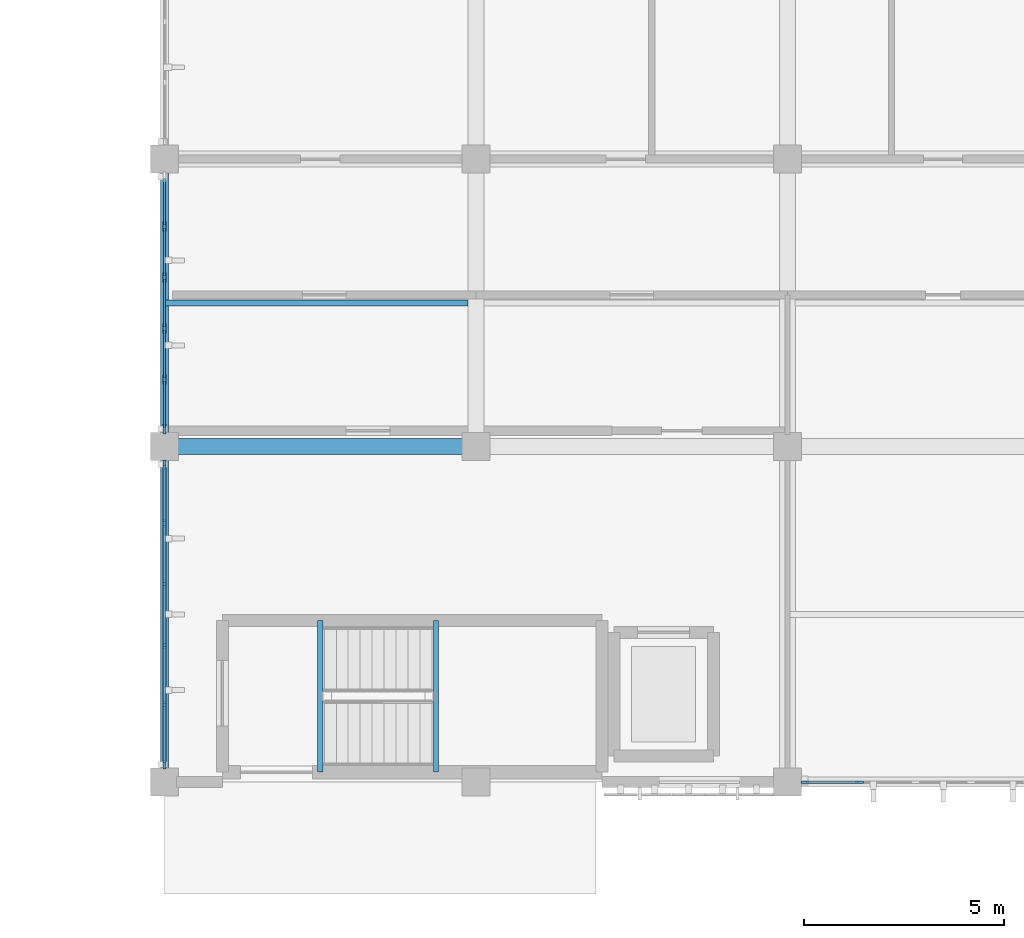
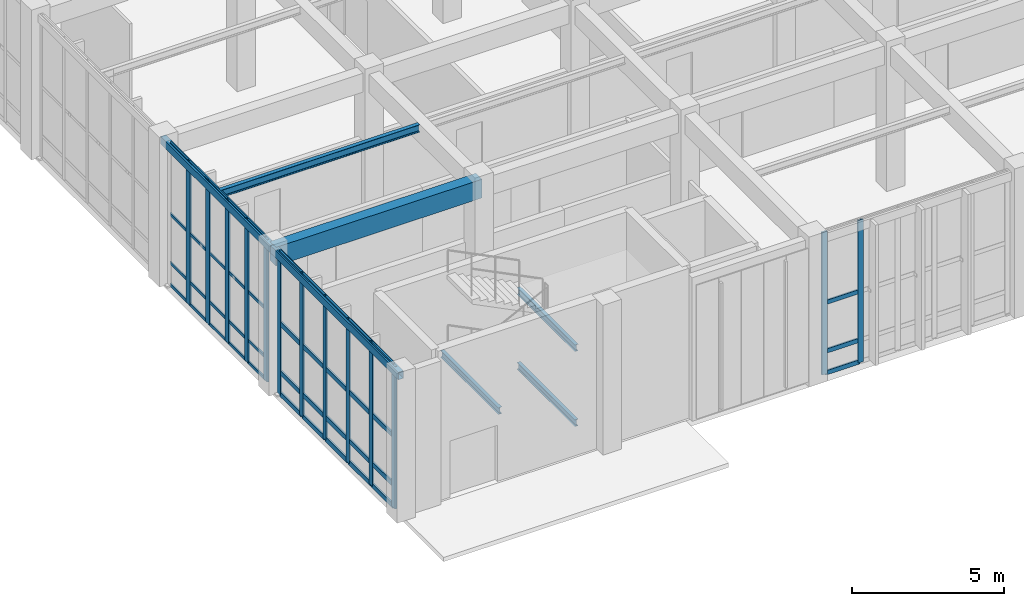
# One storey, part 14 of 110: 56 members, 7 beams, 3 elements without a shape of their own.
"""IFC4 building model written with IfcOpenShell, lengths in metres."""

from ifc_helpers import new_model, si_unit, direction, frame, origin, origin_2d, place, context, subcontext, project, spatial, rectangle, hollow_rectangle, i_section, extrude, material, material_profile, profile_set, type_object, element, aggregate, save


model = new_model("IFC4")

# Units and contexts
model_context = context("Model", 3, precision=1e-05, world=origin(), true_north=direction((0.0, 1.0)))
body_context = subcontext(model_context, "Body", "Model", "MODEL_VIEW")
ifc_project = project(units=[si_unit("LENGTHUNIT", "METRE"), si_unit("AREAUNIT", "SQUARE_METRE"), si_unit("VOLUMEUNIT", "CUBIC_METRE"), si_unit("PLANEANGLEUNIT", "RADIAN"), si_unit("MASSUNIT", "GRAM", prefix="KILO")], contexts=[model_context])

# Site, building, storey
site_placement = place(None, origin())
site = spatial("IfcSite", under=ifc_project, at=site_placement, CompositionType="ELEMENT")
building_placement = place(site_placement, origin())
building = spatial("IfcBuilding", under=site, at=building_placement, Name="Tizgana Railside Sports Hall", CompositionType="ELEMENT")
storey_placement = place(building_placement, origin())
storey = spatial("IfcBuildingStorey", under=building, at=storey_placement, Name="L00", CompositionType="ELEMENT", Elevation=0.0)

# Beam
ifc_material_1 = material(Name="Concrete C35/45", Category="concrete")
ifc_material_profile_1 = material_profile(ifc_material_1, rectangle(XDim=0.39990234375, YDim=0.75, at=origin_2d()), Name="RCB 400x750")
ifc_profile_set_1 = profile_set([ifc_material_profile_1], Name="Concrete C35/45")
beam_type_1 = type_object("IfcBeamType", Name="Concrete Beam RCB 400x750", PredefinedType="BEAM", material=ifc_profile_set_1)
beam_1_placement = place(storey_placement, frame((7.800048828125, 8.39990234375, 5.37109375), z_axis=(1.0, 0.0, 0.0), x_axis=(0.0, 1.0, 0.0)))
element("IfcBeam", 1, at=beam_1_placement, inside=storey, type_object=beam_type_1, Name="L00 BEM-0378", PredefinedType="BEAM", context=body_context, shape_type="SweptSolid", body=[
    extrude(rectangle(XDim=0.39990234375, YDim=0.75, at=origin_2d()), origin(), (0.0, 0.0, 1.0), 7.800048828125),
])

# Curtain wall, members
ifc_material_2 = material(Name="Anodised aluminium and glass", Category="aluminium")
curtain_wall_type_1 = type_object("IfcCurtainWallType", Name="Unitised Curtain Wall Climbing 1600", PredefinedType="NOTDEFINED", material=ifc_material_2)
curtain_wall_1_placement = place(storey_placement, origin())
curtain_wall_1 = element("IfcCurtainWall", 2, at=curtain_wall_1_placement, inside=storey, type_object=curtain_wall_type_1, Name="L00 Curtain Wall CW-0075", PredefinedType="NOTDEFINED")
ifc_material_3 = material(Name="Anodised aluminium", Category="aluminium")
ifc_material_profile_2 = material_profile(ifc_material_3, rectangle(XDim=0.06494140625, YDim=0.199951171875, at=origin_2d()), Name="Mullion 65x200")
ifc_profile_set_2 = profile_set([ifc_material_profile_2], Name="Anodised aluminium")
member_type_1 = type_object("IfcMemberType", Name="Mullion 65x200", PredefinedType="MULLION", material=ifc_profile_set_2)
member_1_placement = place(storey_placement, frame((25.202880859375, 0.0, 0.044921875), z_axis=(0.0, 0.0, 1.0), x_axis=(0.0, -1.0, 0.0)))
member_1 = element("IfcMember", 3, at=member_1_placement, type_object=member_type_1, Name="CW-04 mullion 5", PredefinedType="MULLION", context=body_context, shape_type="SweptSolid", body=[
    extrude(rectangle(XDim=0.06494140625, YDim=0.199951171875, at=origin_2d()), origin(), (0.0, 0.0, 1.0), 5.705078125),
])
member_2_placement = place(storey_placement, frame((23.83740234375, 0.0, 0.044921875), z_axis=(0.0, 0.0, 1.0), x_axis=(0.0, -1.0, 0.0)))
member_2 = element("IfcMember", 4, at=member_2_placement, type_object=member_type_1, Name="CW-04 mullion 6", PredefinedType="MULLION", context=body_context, shape_type="SweptSolid", body=[
    extrude(rectangle(XDim=0.06494140625, YDim=0.199951171875, at=origin_2d()), origin(), (0.0, 0.0, 1.0), 5.705078125),
])

curtain_wall_type_2 = type_object("IfcCurtainWallType", Name="Unitised Curtain Wall Studio 1400", PredefinedType="NOTDEFINED", material=ifc_material_2)
curtain_wall_2_placement = place(storey_placement, origin())
curtain_wall_2 = element("IfcCurtainWall", 5, at=curtain_wall_2_placement, inside=storey, type_object=curtain_wall_type_2, Name="L00 Curtain Wall CW-0082", PredefinedType="NOTDEFINED")
ifc_material_profile_3 = material_profile(ifc_material_3, rectangle(XDim=0.070068359375, YDim=0.219970703125, at=origin_2d()), Name="Mullion 70x220")
ifc_profile_set_3 = profile_set([ifc_material_profile_3], Name="Anodised aluminium")
member_type_2 = type_object("IfcMemberType", Name="Mullion 70x220", PredefinedType="MULLION", material=ifc_profile_set_3)
member_3_placement = place(storey_placement, frame((7.800048828125, 7.9599609375, 0.044921875), z_axis=(0.0, 0.0, 1.0), x_axis=(1.0, 0.0, 0.0)))
member_3 = element("IfcMember", 6, at=member_3_placement, type_object=member_type_2, Name="CW-03 mullion 1", PredefinedType="MULLION", context=body_context, shape_type="SweptSolid", body=[
    extrude(rectangle(XDim=0.070068359375, YDim=0.219970703125, at=origin_2d()), origin(), (0.0, 0.0, 1.0), 5.705078125),
])
member_4_placement = place(storey_placement, frame((7.800048828125, 6.47705078125, 0.044921875), z_axis=(0.0, 0.0, 1.0), x_axis=(1.0, 0.0, 0.0)))
member_4 = element("IfcMember", 7, at=member_4_placement, type_object=member_type_2, Name="CW-03 mullion 2", PredefinedType="MULLION", context=body_context, shape_type="SweptSolid", body=[
    extrude(rectangle(XDim=0.070068359375, YDim=0.219970703125, at=origin_2d()), origin(), (0.0, 0.0, 1.0), 5.705078125),
])
member_5_placement = place(storey_placement, frame((7.800048828125, 4.958984375, 0.044921875), z_axis=(0.0, 0.0, 1.0), x_axis=(1.0, 0.0, 0.0)))
member_5 = element("IfcMember", 8, at=member_5_placement, type_object=member_type_2, Name="CW-03 mullion 3", PredefinedType="MULLION", context=body_context, shape_type="SweptSolid", body=[
    extrude(rectangle(XDim=0.070068359375, YDim=0.219970703125, at=origin_2d()), origin(), (0.0, 0.0, 1.0), 5.705078125),
])
member_6_placement = place(storey_placement, frame((7.800048828125, 3.44091796875, 0.044921875), z_axis=(0.0, 0.0, 1.0), x_axis=(1.0, 0.0, 0.0)))
member_6 = element("IfcMember", 9, at=member_6_placement, type_object=member_type_2, Name="CW-03 mullion 4", PredefinedType="MULLION", context=body_context, shape_type="SweptSolid", body=[
    extrude(rectangle(XDim=0.070068359375, YDim=0.219970703125, at=origin_2d()), origin(), (0.0, 0.0, 1.0), 5.705078125),
])
member_7_placement = place(storey_placement, frame((7.800048828125, 1.923095703125, 0.044921875), z_axis=(0.0, 0.0, 1.0), x_axis=(1.0, 0.0, 0.0)))
member_7 = element("IfcMember", 10, at=member_7_placement, type_object=member_type_2, Name="CW-03 mullion 5", PredefinedType="MULLION", context=body_context, shape_type="SweptSolid", body=[
    extrude(rectangle(XDim=0.070068359375, YDim=0.219970703125, at=origin_2d()), origin(), (0.0, 0.0, 1.0), 5.705078125),
])
member_8_placement = place(storey_placement, frame((7.800048828125, 0.43994140625, 0.044921875), z_axis=(0.0, 0.0, 1.0), x_axis=(1.0, 0.0, 0.0)))
member_8 = element("IfcMember", 11, at=member_8_placement, type_object=member_type_2, Name="CW-03 mullion 6", PredefinedType="MULLION", context=body_context, shape_type="SweptSolid", body=[
    extrude(rectangle(XDim=0.070068359375, YDim=0.219970703125, at=origin_2d()), origin(), (0.0, 0.0, 1.0), 5.705078125),
])

curtain_wall_3_placement = place(storey_placement, origin())
curtain_wall_3 = element("IfcCurtainWall", 12, at=curtain_wall_3_placement, inside=storey, type_object=curtain_wall_type_1, Name="L00 Curtain Wall CW-0083", PredefinedType="NOTDEFINED")
ifc_material_profile_4 = material_profile(ifc_material_3, rectangle(XDim=0.074951171875, YDim=0.25, at=origin_2d()), Name="Mullion 75x250")
ifc_profile_set_4 = profile_set([ifc_material_profile_4], Name="Anodised aluminium")
member_type_3 = type_object("IfcMemberType", Name="Mullion 75x250", PredefinedType="MULLION", material=ifc_profile_set_4)
member_9_placement = place(storey_placement, frame((7.800048828125, 13.9169921875, 0.044921875), z_axis=(0.0, 0.0, 1.0), x_axis=(1.0, 0.0, 0.0)))
member_9 = element("IfcMember", 13, at=member_9_placement, type_object=member_type_3, Name="CW-04 mullion 2", PredefinedType="MULLION", context=body_context, shape_type="SweptSolid", body=[
    extrude(rectangle(XDim=0.074951171875, YDim=0.25, at=origin_2d()), origin(), (0.0, 0.0, 1.0), 5.705078125),
])
member_10_placement = place(storey_placement, frame((7.800048828125, 12.638916015625, 0.044921875), z_axis=(0.0, 0.0, 1.0), x_axis=(1.0, 0.0, 0.0)))
member_10 = element("IfcMember", 14, at=member_10_placement, type_object=member_type_3, Name="CW-04 mullion 3", PredefinedType="MULLION", context=body_context, shape_type="SweptSolid", body=[
    extrude(rectangle(XDim=0.074951171875, YDim=0.25, at=origin_2d()), origin(), (0.0, 0.0, 1.0), 5.705078125),
])
member_11_placement = place(storey_placement, frame((7.800048828125, 11.361083984375, 0.044921875), z_axis=(0.0, 0.0, 1.0), x_axis=(1.0, 0.0, 0.0)))
member_11 = element("IfcMember", 15, at=member_11_placement, type_object=member_type_3, Name="CW-04 mullion 4", PredefinedType="MULLION", context=body_context, shape_type="SweptSolid", body=[
    extrude(rectangle(XDim=0.074951171875, YDim=0.25, at=origin_2d()), origin(), (0.0, 0.0, 1.0), 5.705078125),
])
member_12_placement = place(storey_placement, frame((7.800048828125, 10.0830078125, 0.044921875), z_axis=(0.0, 0.0, 1.0), x_axis=(1.0, 0.0, 0.0)))
member_12 = element("IfcMember", 16, at=member_12_placement, type_object=member_type_3, Name="CW-04 mullion 5", PredefinedType="MULLION", context=body_context, shape_type="SweptSolid", body=[
    extrude(rectangle(XDim=0.074951171875, YDim=0.25, at=origin_2d()), origin(), (0.0, 0.0, 1.0), 5.705078125),
])
member_13_placement = place(storey_placement, frame((7.800048828125, 8.842529296875, 0.044921875), z_axis=(0.0, 0.0, 1.0), x_axis=(1.0, 0.0, 0.0)))
member_13 = element("IfcMember", 17, at=member_13_placement, type_object=member_type_3, Name="CW-04 mullion 6", PredefinedType="MULLION", context=body_context, shape_type="SweptSolid", body=[
    extrude(rectangle(XDim=0.074951171875, YDim=0.25, at=origin_2d()), origin(), (0.0, 0.0, 1.0), 5.705078125),
])

# Beams
ifc_material_4 = material(Name="Steel S355J2", Category="steel")
ifc_material_profile_5 = material_profile(ifc_material_4, i_section(OverallWidth=0.1298828125, OverallDepth=0.27001953125, WebThickness=0.006591796875, FlangeThickness=0.01025390625, FilletRadius=0.014892578125, at=origin_2d()), Name="IPE 270")
ifc_profile_set_5 = profile_set([ifc_material_profile_5], Name="Steel S355J2")
beam_type_2 = type_object("IfcBeamType", Name="Stair Mid-Landing Header IPE 270", PredefinedType="JOIST", material=ifc_profile_set_5)
for number, where, z_axis, x_axis, name in (
    (18, (14.60009765625, 0.25, 1.1630859375), (0.0, 1.0, 0.0), (-1.0, 0.0, 0.0), "L00 C1 Mid Header 1"),
    (19, (11.699951171875, 0.25, 2.6630859375), (0.0, 1.0, 0.0), (-1.0, 0.0, 0.0), "L00 C1 Mid Header 2"),
    (20, (14.60009765625, 0.25, 4.1630859375), (0.0, 1.0, 0.0), (-1.0, 0.0, 0.0), "L00 C1 Mid Header 3"),
):
    element("IfcBeam", number, at=place(storey_placement, frame(where, z_axis=z_axis, x_axis=x_axis)), inside=storey, type_object=beam_type_2, Name=name, PredefinedType="JOIST", context=body_context, shape_type="SweptSolid", body=[
        extrude(i_section(OverallWidth=0.1298828125, OverallDepth=0.27001953125, WebThickness=0.006591796875, FlangeThickness=0.01025390625, FilletRadius=0.014892578125, at=origin_2d()), origin(), (0.0, 0.0, 1.0), 3.800048828125),
    ])
ifc_material_profile_6 = material_profile(ifc_material_4, i_section(OverallWidth=0.14990234375, OverallDepth=0.300048828125, WebThickness=0.007080078125, FlangeThickness=0.0107421875, FilletRadius=0.014892578125, at=origin_2d()), Name="IPE 300")
ifc_profile_set_6 = profile_set([ifc_material_profile_6], Name="Steel S355J2")
beam_type_3 = type_object("IfcBeamType", Name="Steel Joist IPE 300", PredefinedType="JOIST", material=ifc_profile_set_6)
beam_2_placement = place(storey_placement, frame((7.800048828125, 12.0, 5.595947265625), z_axis=(1.0, 0.0, 0.0), x_axis=(0.0, 1.0, 0.0)))
element("IfcBeam", 21, at=beam_2_placement, inside=storey, type_object=beam_type_3, Name="L00 BEM-0382", PredefinedType="JOIST", context=body_context, shape_type="SweptSolid", body=[
    extrude(i_section(OverallWidth=0.14990234375, OverallDepth=0.300048828125, WebThickness=0.007080078125, FlangeThickness=0.0107421875, FilletRadius=0.014892578125, at=origin_2d()), origin(), (0.0, 0.0, 1.0), 7.60498046875),
])
ifc_material_profile_7 = material_profile(ifc_material_4, hollow_rectangle(XDim=0.199951171875, YDim=0.300048828125, WallThickness=0.010009765625, at=origin_2d()), Name="RHS 300x200x10")
ifc_profile_set_7 = profile_set([ifc_material_profile_7], Name="Steel S355J2")
beam_type_4 = type_object("IfcBeamType", Name="Steel Spandrel RHS 300x200x10", PredefinedType="SPANDREL", material=ifc_profile_set_7)
beam_3_placement = place(storey_placement, frame((7.800048828125, 0.0, 5.595947265625), z_axis=(0.0, 1.0, 0.0), x_axis=(-1.0, 0.0, 0.0)))
element("IfcBeam", 22, at=beam_3_placement, inside=storey, type_object=beam_type_4, Name="L00 BEM-0333", PredefinedType="SPANDREL", context=body_context, shape_type="SweptSolid", body=[
    extrude(hollow_rectangle(XDim=0.199951171875, YDim=0.300048828125, WallThickness=0.010009765625, at=origin_2d()), origin(), (0.0, 0.0, 1.0), 8.39990234375),
])
beam_4_placement = place(storey_placement, frame((7.800048828125, 8.39990234375, 5.595947265625), z_axis=(0.0, 1.0, 0.0), x_axis=(-1.0, 0.0, 0.0)))
element("IfcBeam", 23, at=beam_4_placement, inside=storey, type_object=beam_type_4, Name="L00 BEM-0334", PredefinedType="SPANDREL", context=body_context, shape_type="SweptSolid", body=[
    extrude(hollow_rectangle(XDim=0.199951171875, YDim=0.300048828125, WallThickness=0.010009765625, at=origin_2d()), origin(), (0.0, 0.0, 1.0), 7.2001953125),
])

# Member
ifc_material_profile_8 = material_profile(ifc_material_3, rectangle(XDim=0.054931640625, YDim=0.1201171875, at=origin_2d()), Name="Transom 55x120")
ifc_profile_set_8 = profile_set([ifc_material_profile_8], Name="Anodised aluminium")
member_type_4 = type_object("IfcMemberType", Name="Transom 55x120", PredefinedType="USERDEFINED", material=ifc_profile_set_8)
member_14_placement = place(storey_placement, frame((7.800048828125, 15.1201171875, 0.072509765625), z_axis=(0.0, -1.0, 0.0), x_axis=(1.0, 0.0, 0.0)))
member_14 = element("IfcMember", 24, at=member_14_placement, type_object=member_type_4, Name="CW-04 transom 1.1", ObjectType="TRANSOM", PredefinedType="USERDEFINED", context=body_context, shape_type="SweptSolid", body=[
    extrude(rectangle(XDim=0.054931640625, YDim=0.1201171875, at=origin_2d()), origin(), (0.0, 0.0, 1.0), 1.16552734375),
])

member_15_placement = place(storey_placement, frame((7.800048828125, 15.1201171875, 0.945068359375), z_axis=(0.0, -1.0, 0.0), x_axis=(1.0, 0.0, 0.0)))
member_15 = element("IfcMember", 25, at=member_15_placement, type_object=member_type_4, Name="CW-04 transom 1.2", ObjectType="TRANSOM", PredefinedType="USERDEFINED", context=body_context, shape_type="SweptSolid", body=[
    extrude(rectangle(XDim=0.054931640625, YDim=0.1201171875, at=origin_2d()), origin(), (0.0, 0.0, 1.0), 1.16552734375),
])

member_16_placement = place(storey_placement, frame((7.800048828125, 15.1201171875, 2.8974609375), z_axis=(0.0, -1.0, 0.0), x_axis=(1.0, 0.0, 0.0)))
member_16 = element("IfcMember", 26, at=member_16_placement, type_object=member_type_4, Name="CW-04 transom 1.3", ObjectType="TRANSOM", PredefinedType="USERDEFINED", context=body_context, shape_type="SweptSolid", body=[
    extrude(rectangle(XDim=0.054931640625, YDim=0.1201171875, at=origin_2d()), origin(), (0.0, 0.0, 1.0), 1.16552734375),
])

member_17_placement = place(storey_placement, frame((7.800048828125, 15.1201171875, 5.722412109375), z_axis=(0.0, -1.0, 0.0), x_axis=(1.0, 0.0, 0.0)))
member_17 = element("IfcMember", 27, at=member_17_placement, type_object=member_type_4, Name="CW-04 transom 1.4", ObjectType="TRANSOM", PredefinedType="USERDEFINED", context=body_context, shape_type="SweptSolid", body=[
    extrude(rectangle(XDim=0.054931640625, YDim=0.1201171875, at=origin_2d()), origin(), (0.0, 0.0, 1.0), 1.16552734375),
])

member_18_placement = place(storey_placement, frame((7.800048828125, 13.87939453125, 0.072509765625), z_axis=(0.0, -1.0, 0.0), x_axis=(1.0, 0.0, 0.0)))
member_18 = element("IfcMember", 28, at=member_18_placement, type_object=member_type_4, Name="CW-04 transom 2.1", ObjectType="TRANSOM", PredefinedType="USERDEFINED", context=body_context, shape_type="SweptSolid", body=[
    extrude(rectangle(XDim=0.054931640625, YDim=0.1201171875, at=origin_2d()), origin(), (0.0, 0.0, 1.0), 1.202880859375),
])

member_19_placement = place(storey_placement, frame((7.800048828125, 13.87939453125, 0.945068359375), z_axis=(0.0, -1.0, 0.0), x_axis=(1.0, 0.0, 0.0)))
member_19 = element("IfcMember", 29, at=member_19_placement, type_object=member_type_4, Name="CW-04 transom 2.2", ObjectType="TRANSOM", PredefinedType="USERDEFINED", context=body_context, shape_type="SweptSolid", body=[
    extrude(rectangle(XDim=0.054931640625, YDim=0.1201171875, at=origin_2d()), origin(), (0.0, 0.0, 1.0), 1.202880859375),
])

member_20_placement = place(storey_placement, frame((7.800048828125, 13.87939453125, 2.8974609375), z_axis=(0.0, -1.0, 0.0), x_axis=(1.0, 0.0, 0.0)))
member_20 = element("IfcMember", 30, at=member_20_placement, type_object=member_type_4, Name="CW-04 transom 2.3", ObjectType="TRANSOM", PredefinedType="USERDEFINED", context=body_context, shape_type="SweptSolid", body=[
    extrude(rectangle(XDim=0.054931640625, YDim=0.1201171875, at=origin_2d()), origin(), (0.0, 0.0, 1.0), 1.202880859375),
])

member_21_placement = place(storey_placement, frame((7.800048828125, 13.87939453125, 5.722412109375), z_axis=(0.0, -1.0, 0.0), x_axis=(1.0, 0.0, 0.0)))
member_21 = element("IfcMember", 31, at=member_21_placement, type_object=member_type_4, Name="CW-04 transom 2.4", ObjectType="TRANSOM", PredefinedType="USERDEFINED", context=body_context, shape_type="SweptSolid", body=[
    extrude(rectangle(XDim=0.054931640625, YDim=0.1201171875, at=origin_2d()), origin(), (0.0, 0.0, 1.0), 1.202880859375),
])

member_22_placement = place(storey_placement, frame((7.800048828125, 12.6015625, 0.072509765625), z_axis=(0.0, -1.0, 0.0), x_axis=(1.0, 0.0, 0.0)))
member_22 = element("IfcMember", 32, at=member_22_placement, type_object=member_type_4, Name="CW-04 transom 3.1", ObjectType="TRANSOM", PredefinedType="USERDEFINED", context=body_context, shape_type="SweptSolid", body=[
    extrude(rectangle(XDim=0.054931640625, YDim=0.1201171875, at=origin_2d()), origin(), (0.0, 0.0, 1.0), 1.203125),
])

member_23_placement = place(storey_placement, frame((7.800048828125, 12.6015625, 0.945068359375), z_axis=(0.0, -1.0, 0.0), x_axis=(1.0, 0.0, 0.0)))
member_23 = element("IfcMember", 33, at=member_23_placement, type_object=member_type_4, Name="CW-04 transom 3.2", ObjectType="TRANSOM", PredefinedType="USERDEFINED", context=body_context, shape_type="SweptSolid", body=[
    extrude(rectangle(XDim=0.054931640625, YDim=0.1201171875, at=origin_2d()), origin(), (0.0, 0.0, 1.0), 1.203125),
])

member_24_placement = place(storey_placement, frame((7.800048828125, 12.6015625, 2.8974609375), z_axis=(0.0, -1.0, 0.0), x_axis=(1.0, 0.0, 0.0)))
member_24 = element("IfcMember", 34, at=member_24_placement, type_object=member_type_4, Name="CW-04 transom 3.3", ObjectType="TRANSOM", PredefinedType="USERDEFINED", context=body_context, shape_type="SweptSolid", body=[
    extrude(rectangle(XDim=0.054931640625, YDim=0.1201171875, at=origin_2d()), origin(), (0.0, 0.0, 1.0), 1.203125),
])

member_25_placement = place(storey_placement, frame((7.800048828125, 12.6015625, 5.722412109375), z_axis=(0.0, -1.0, 0.0), x_axis=(1.0, 0.0, 0.0)))
member_25 = element("IfcMember", 35, at=member_25_placement, type_object=member_type_4, Name="CW-04 transom 3.4", ObjectType="TRANSOM", PredefinedType="USERDEFINED", context=body_context, shape_type="SweptSolid", body=[
    extrude(rectangle(XDim=0.054931640625, YDim=0.1201171875, at=origin_2d()), origin(), (0.0, 0.0, 1.0), 1.203125),
])

member_26_placement = place(storey_placement, frame((7.800048828125, 11.323486328125, 0.072509765625), z_axis=(0.0, -1.0, 0.0), x_axis=(1.0, 0.0, 0.0)))
member_26 = element("IfcMember", 36, at=member_26_placement, type_object=member_type_4, Name="CW-04 transom 4.1", ObjectType="TRANSOM", PredefinedType="USERDEFINED", context=body_context, shape_type="SweptSolid", body=[
    extrude(rectangle(XDim=0.054931640625, YDim=0.1201171875, at=origin_2d()), origin(), (0.0, 0.0, 1.0), 1.202880859375),
])

member_27_placement = place(storey_placement, frame((7.800048828125, 11.323486328125, 0.945068359375), z_axis=(0.0, -1.0, 0.0), x_axis=(1.0, 0.0, 0.0)))
member_27 = element("IfcMember", 37, at=member_27_placement, type_object=member_type_4, Name="CW-04 transom 4.2", ObjectType="TRANSOM", PredefinedType="USERDEFINED", context=body_context, shape_type="SweptSolid", body=[
    extrude(rectangle(XDim=0.054931640625, YDim=0.1201171875, at=origin_2d()), origin(), (0.0, 0.0, 1.0), 1.202880859375),
])

member_28_placement = place(storey_placement, frame((7.800048828125, 11.323486328125, 2.8974609375), z_axis=(0.0, -1.0, 0.0), x_axis=(1.0, 0.0, 0.0)))
member_28 = element("IfcMember", 38, at=member_28_placement, type_object=member_type_4, Name="CW-04 transom 4.3", ObjectType="TRANSOM", PredefinedType="USERDEFINED", context=body_context, shape_type="SweptSolid", body=[
    extrude(rectangle(XDim=0.054931640625, YDim=0.1201171875, at=origin_2d()), origin(), (0.0, 0.0, 1.0), 1.202880859375),
])

member_29_placement = place(storey_placement, frame((7.800048828125, 11.323486328125, 5.722412109375), z_axis=(0.0, -1.0, 0.0), x_axis=(1.0, 0.0, 0.0)))
member_29 = element("IfcMember", 39, at=member_29_placement, type_object=member_type_4, Name="CW-04 transom 4.4", ObjectType="TRANSOM", PredefinedType="USERDEFINED", context=body_context, shape_type="SweptSolid", body=[
    extrude(rectangle(XDim=0.054931640625, YDim=0.1201171875, at=origin_2d()), origin(), (0.0, 0.0, 1.0), 1.202880859375),
])

member_30_placement = place(storey_placement, frame((7.800048828125, 10.04541015625, 0.072509765625), z_axis=(0.0, -1.0, 0.0), x_axis=(1.0, 0.0, 0.0)))
member_30 = element("IfcMember", 40, at=member_30_placement, type_object=member_type_4, Name="CW-04 transom 5.1", ObjectType="TRANSOM", PredefinedType="USERDEFINED", context=body_context, shape_type="SweptSolid", body=[
    extrude(rectangle(XDim=0.054931640625, YDim=0.1201171875, at=origin_2d()), origin(), (0.0, 0.0, 1.0), 1.16552734375),
])

member_31_placement = place(storey_placement, frame((7.800048828125, 10.04541015625, 0.945068359375), z_axis=(0.0, -1.0, 0.0), x_axis=(1.0, 0.0, 0.0)))
member_31 = element("IfcMember", 41, at=member_31_placement, type_object=member_type_4, Name="CW-04 transom 5.2", ObjectType="TRANSOM", PredefinedType="USERDEFINED", context=body_context, shape_type="SweptSolid", body=[
    extrude(rectangle(XDim=0.054931640625, YDim=0.1201171875, at=origin_2d()), origin(), (0.0, 0.0, 1.0), 1.16552734375),
])

member_32_placement = place(storey_placement, frame((7.800048828125, 10.04541015625, 2.8974609375), z_axis=(0.0, -1.0, 0.0), x_axis=(1.0, 0.0, 0.0)))
member_32 = element("IfcMember", 42, at=member_32_placement, type_object=member_type_4, Name="CW-04 transom 5.3", ObjectType="TRANSOM", PredefinedType="USERDEFINED", context=body_context, shape_type="SweptSolid", body=[
    extrude(rectangle(XDim=0.054931640625, YDim=0.1201171875, at=origin_2d()), origin(), (0.0, 0.0, 1.0), 1.16552734375),
])

member_33_placement = place(storey_placement, frame((7.800048828125, 10.04541015625, 5.722412109375), z_axis=(0.0, -1.0, 0.0), x_axis=(1.0, 0.0, 0.0)))
member_33 = element("IfcMember", 43, at=member_33_placement, type_object=member_type_4, Name="CW-04 transom 5.4", ObjectType="TRANSOM", PredefinedType="USERDEFINED", context=body_context, shape_type="SweptSolid", body=[
    extrude(rectangle(XDim=0.054931640625, YDim=0.1201171875, at=origin_2d()), origin(), (0.0, 0.0, 1.0), 1.16552734375),
])

aggregate(curtain_wall_3, [member_9, member_10, member_11, member_12, member_13, member_14, member_15, member_16, member_17, member_18, member_19, member_20, member_21, member_22, member_23, member_24, member_25, member_26, member_27, member_28, member_29, member_30, member_31, member_32, member_33])

ifc_material_profile_9 = material_profile(ifc_material_3, rectangle(XDim=0.06494140625, YDim=0.169921875, at=origin_2d()), Name="Transom 65x170")
ifc_profile_set_9 = profile_set([ifc_material_profile_9], Name="Anodised aluminium")
member_type_5 = type_object("IfcMemberType", Name="Transom 65x170", PredefinedType="USERDEFINED", material=ifc_profile_set_9)
member_34_placement = place(storey_placement, frame((25.17041015625, 0.0, 0.077392578125), z_axis=(-1.0, 0.0, 0.0), x_axis=(0.0, -1.0, 0.0)))
member_34 = element("IfcMember", 44, at=member_34_placement, type_object=member_type_5, Name="CW-04 transom 5.1", ObjectType="TRANSOM", PredefinedType="USERDEFINED", context=body_context, shape_type="SweptSolid", body=[
    extrude(rectangle(XDim=0.06494140625, YDim=0.169921875, at=origin_2d()), origin(), (0.0, 0.0, 1.0), 1.30029296875),
])

member_35_placement = place(storey_placement, frame((25.17041015625, 0.0, 0.945068359375), z_axis=(-1.0, 0.0, 0.0), x_axis=(0.0, -1.0, 0.0)))
member_35 = element("IfcMember", 45, at=member_35_placement, type_object=member_type_5, Name="CW-04 transom 5.2", ObjectType="TRANSOM", PredefinedType="USERDEFINED", context=body_context, shape_type="SweptSolid", body=[
    extrude(rectangle(XDim=0.06494140625, YDim=0.169921875, at=origin_2d()), origin(), (0.0, 0.0, 1.0), 1.30029296875),
])

member_36_placement = place(storey_placement, frame((25.17041015625, 0.0, 2.8974609375), z_axis=(-1.0, 0.0, 0.0), x_axis=(0.0, -1.0, 0.0)))
member_36 = element("IfcMember", 46, at=member_36_placement, type_object=member_type_5, Name="CW-04 transom 5.3", ObjectType="TRANSOM", PredefinedType="USERDEFINED", context=body_context, shape_type="SweptSolid", body=[
    extrude(rectangle(XDim=0.06494140625, YDim=0.169921875, at=origin_2d()), origin(), (0.0, 0.0, 1.0), 1.30029296875),
])

aggregate(curtain_wall_1, [member_1, member_2, member_34, member_35, member_36])

ifc_material_profile_10 = material_profile(ifc_material_3, rectangle(XDim=0.070068359375, YDim=0.18994140625, at=origin_2d()), Name="Transom 70x190")
ifc_profile_set_10 = profile_set([ifc_material_profile_10], Name="Anodised aluminium")
member_type_6 = type_object("IfcMemberType", Name="Transom 70x190", PredefinedType="USERDEFINED", material=ifc_profile_set_10)
member_37_placement = place(storey_placement, frame((7.800048828125, 7.925048828125, 0.080078125), z_axis=(0.0, -1.0, 0.0), x_axis=(1.0, 0.0, 0.0)))
member_37 = element("IfcMember", 47, at=member_37_placement, type_object=member_type_6, Name="CW-03 transom 1.1", ObjectType="TRANSOM", PredefinedType="USERDEFINED", context=body_context, shape_type="SweptSolid", body=[
    extrude(rectangle(XDim=0.070068359375, YDim=0.18994140625, at=origin_2d()), origin(), (0.0, 0.0, 1.0), 1.4130859375),
])

member_38_placement = place(storey_placement, frame((7.800048828125, 7.925048828125, 0.945068359375), z_axis=(0.0, -1.0, 0.0), x_axis=(1.0, 0.0, 0.0)))
member_38 = element("IfcMember", 48, at=member_38_placement, type_object=member_type_6, Name="CW-03 transom 1.2", ObjectType="TRANSOM", PredefinedType="USERDEFINED", context=body_context, shape_type="SweptSolid", body=[
    extrude(rectangle(XDim=0.070068359375, YDim=0.18994140625, at=origin_2d()), origin(), (0.0, 0.0, 1.0), 1.4130859375),
])

member_39_placement = place(storey_placement, frame((7.800048828125, 7.925048828125, 2.8974609375), z_axis=(0.0, -1.0, 0.0), x_axis=(1.0, 0.0, 0.0)))
member_39 = element("IfcMember", 49, at=member_39_placement, type_object=member_type_6, Name="CW-03 transom 1.3", ObjectType="TRANSOM", PredefinedType="USERDEFINED", context=body_context, shape_type="SweptSolid", body=[
    extrude(rectangle(XDim=0.070068359375, YDim=0.18994140625, at=origin_2d()), origin(), (0.0, 0.0, 1.0), 1.4130859375),
])

member_40_placement = place(storey_placement, frame((7.800048828125, 7.925048828125, 5.715087890625), z_axis=(0.0, -1.0, 0.0), x_axis=(1.0, 0.0, 0.0)))
member_40 = element("IfcMember", 50, at=member_40_placement, type_object=member_type_6, Name="CW-03 transom 1.4", ObjectType="TRANSOM", PredefinedType="USERDEFINED", context=body_context, shape_type="SweptSolid", body=[
    extrude(rectangle(XDim=0.070068359375, YDim=0.18994140625, at=origin_2d()), origin(), (0.0, 0.0, 1.0), 1.4130859375),
])

member_41_placement = place(storey_placement, frame((7.800048828125, 6.44189453125, 0.080078125), z_axis=(0.0, -1.0, 0.0), x_axis=(1.0, 0.0, 0.0)))
member_41 = element("IfcMember", 51, at=member_41_placement, type_object=member_type_6, Name="CW-03 transom 2.1", ObjectType="TRANSOM", PredefinedType="USERDEFINED", context=body_context, shape_type="SweptSolid", body=[
    extrude(rectangle(XDim=0.070068359375, YDim=0.18994140625, at=origin_2d()), origin(), (0.0, 0.0, 1.0), 1.447998046875),
])

member_42_placement = place(storey_placement, frame((7.800048828125, 6.44189453125, 0.945068359375), z_axis=(0.0, -1.0, 0.0), x_axis=(1.0, 0.0, 0.0)))
member_42 = element("IfcMember", 52, at=member_42_placement, type_object=member_type_6, Name="CW-03 transom 2.2", ObjectType="TRANSOM", PredefinedType="USERDEFINED", context=body_context, shape_type="SweptSolid", body=[
    extrude(rectangle(XDim=0.070068359375, YDim=0.18994140625, at=origin_2d()), origin(), (0.0, 0.0, 1.0), 1.447998046875),
])

member_43_placement = place(storey_placement, frame((7.800048828125, 6.44189453125, 2.8974609375), z_axis=(0.0, -1.0, 0.0), x_axis=(1.0, 0.0, 0.0)))
member_43 = element("IfcMember", 53, at=member_43_placement, type_object=member_type_6, Name="CW-03 transom 2.3", ObjectType="TRANSOM", PredefinedType="USERDEFINED", context=body_context, shape_type="SweptSolid", body=[
    extrude(rectangle(XDim=0.070068359375, YDim=0.18994140625, at=origin_2d()), origin(), (0.0, 0.0, 1.0), 1.447998046875),
])

member_44_placement = place(storey_placement, frame((7.800048828125, 6.44189453125, 5.715087890625), z_axis=(0.0, -1.0, 0.0), x_axis=(1.0, 0.0, 0.0)))
member_44 = element("IfcMember", 54, at=member_44_placement, type_object=member_type_6, Name="CW-03 transom 2.4", ObjectType="TRANSOM", PredefinedType="USERDEFINED", context=body_context, shape_type="SweptSolid", body=[
    extrude(rectangle(XDim=0.070068359375, YDim=0.18994140625, at=origin_2d()), origin(), (0.0, 0.0, 1.0), 1.447998046875),
])

member_45_placement = place(storey_placement, frame((7.800048828125, 4.924072265625, 0.080078125), z_axis=(0.0, -1.0, 0.0), x_axis=(1.0, 0.0, 0.0)))
member_45 = element("IfcMember", 55, at=member_45_placement, type_object=member_type_6, Name="CW-03 transom 3.1", ObjectType="TRANSOM", PredefinedType="USERDEFINED", context=body_context, shape_type="SweptSolid", body=[
    extrude(rectangle(XDim=0.070068359375, YDim=0.18994140625, at=origin_2d()), origin(), (0.0, 0.0, 1.0), 1.447998046875),
])

member_46_placement = place(storey_placement, frame((7.800048828125, 4.924072265625, 0.945068359375), z_axis=(0.0, -1.0, 0.0), x_axis=(1.0, 0.0, 0.0)))
member_46 = element("IfcMember", 56, at=member_46_placement, type_object=member_type_6, Name="CW-03 transom 3.2", ObjectType="TRANSOM", PredefinedType="USERDEFINED", context=body_context, shape_type="SweptSolid", body=[
    extrude(rectangle(XDim=0.070068359375, YDim=0.18994140625, at=origin_2d()), origin(), (0.0, 0.0, 1.0), 1.447998046875),
])

member_47_placement = place(storey_placement, frame((7.800048828125, 4.924072265625, 2.8974609375), z_axis=(0.0, -1.0, 0.0), x_axis=(1.0, 0.0, 0.0)))
member_47 = element("IfcMember", 57, at=member_47_placement, type_object=member_type_6, Name="CW-03 transom 3.3", ObjectType="TRANSOM", PredefinedType="USERDEFINED", context=body_context, shape_type="SweptSolid", body=[
    extrude(rectangle(XDim=0.070068359375, YDim=0.18994140625, at=origin_2d()), origin(), (0.0, 0.0, 1.0), 1.447998046875),
])

member_48_placement = place(storey_placement, frame((7.800048828125, 4.924072265625, 5.715087890625), z_axis=(0.0, -1.0, 0.0), x_axis=(1.0, 0.0, 0.0)))
member_48 = element("IfcMember", 58, at=member_48_placement, type_object=member_type_6, Name="CW-03 transom 3.4", ObjectType="TRANSOM", PredefinedType="USERDEFINED", context=body_context, shape_type="SweptSolid", body=[
    extrude(rectangle(XDim=0.070068359375, YDim=0.18994140625, at=origin_2d()), origin(), (0.0, 0.0, 1.0), 1.447998046875),
])

member_49_placement = place(storey_placement, frame((7.800048828125, 3.406005859375, 0.080078125), z_axis=(0.0, -1.0, 0.0), x_axis=(1.0, 0.0, 0.0)))
member_49 = element("IfcMember", 59, at=member_49_placement, type_object=member_type_6, Name="CW-03 transom 4.1", ObjectType="TRANSOM", PredefinedType="USERDEFINED", context=body_context, shape_type="SweptSolid", body=[
    extrude(rectangle(XDim=0.070068359375, YDim=0.18994140625, at=origin_2d()), origin(), (0.0, 0.0, 1.0), 1.447998046875),
])

member_50_placement = place(storey_placement, frame((7.800048828125, 3.406005859375, 0.945068359375), z_axis=(0.0, -1.0, 0.0), x_axis=(1.0, 0.0, 0.0)))
member_50 = element("IfcMember", 60, at=member_50_placement, type_object=member_type_6, Name="CW-03 transom 4.2", ObjectType="TRANSOM", PredefinedType="USERDEFINED", context=body_context, shape_type="SweptSolid", body=[
    extrude(rectangle(XDim=0.070068359375, YDim=0.18994140625, at=origin_2d()), origin(), (0.0, 0.0, 1.0), 1.447998046875),
])

member_51_placement = place(storey_placement, frame((7.800048828125, 3.406005859375, 2.8974609375), z_axis=(0.0, -1.0, 0.0), x_axis=(1.0, 0.0, 0.0)))
member_51 = element("IfcMember", 61, at=member_51_placement, type_object=member_type_6, Name="CW-03 transom 4.3", ObjectType="TRANSOM", PredefinedType="USERDEFINED", context=body_context, shape_type="SweptSolid", body=[
    extrude(rectangle(XDim=0.070068359375, YDim=0.18994140625, at=origin_2d()), origin(), (0.0, 0.0, 1.0), 1.447998046875),
])

member_52_placement = place(storey_placement, frame((7.800048828125, 3.406005859375, 5.715087890625), z_axis=(0.0, -1.0, 0.0), x_axis=(1.0, 0.0, 0.0)))
member_52 = element("IfcMember", 62, at=member_52_placement, type_object=member_type_6, Name="CW-03 transom 4.4", ObjectType="TRANSOM", PredefinedType="USERDEFINED", context=body_context, shape_type="SweptSolid", body=[
    extrude(rectangle(XDim=0.070068359375, YDim=0.18994140625, at=origin_2d()), origin(), (0.0, 0.0, 1.0), 1.447998046875),
])

member_53_placement = place(storey_placement, frame((7.800048828125, 1.887939453125, 0.080078125), z_axis=(0.0, -1.0, 0.0), x_axis=(1.0, 0.0, 0.0)))
member_53 = element("IfcMember", 63, at=member_53_placement, type_object=member_type_6, Name="CW-03 transom 5.1", ObjectType="TRANSOM", PredefinedType="USERDEFINED", context=body_context, shape_type="SweptSolid", body=[
    extrude(rectangle(XDim=0.070068359375, YDim=0.18994140625, at=origin_2d()), origin(), (0.0, 0.0, 1.0), 1.412841796875),
])

member_54_placement = place(storey_placement, frame((7.800048828125, 1.887939453125, 0.945068359375), z_axis=(0.0, -1.0, 0.0), x_axis=(1.0, 0.0, 0.0)))
member_54 = element("IfcMember", 64, at=member_54_placement, type_object=member_type_6, Name="CW-03 transom 5.2", ObjectType="TRANSOM", PredefinedType="USERDEFINED", context=body_context, shape_type="SweptSolid", body=[
    extrude(rectangle(XDim=0.070068359375, YDim=0.18994140625, at=origin_2d()), origin(), (0.0, 0.0, 1.0), 1.412841796875),
])

member_55_placement = place(storey_placement, frame((7.800048828125, 1.887939453125, 2.8974609375), z_axis=(0.0, -1.0, 0.0), x_axis=(1.0, 0.0, 0.0)))
member_55 = element("IfcMember", 65, at=member_55_placement, type_object=member_type_6, Name="CW-03 transom 5.3", ObjectType="TRANSOM", PredefinedType="USERDEFINED", context=body_context, shape_type="SweptSolid", body=[
    extrude(rectangle(XDim=0.070068359375, YDim=0.18994140625, at=origin_2d()), origin(), (0.0, 0.0, 1.0), 1.412841796875),
])

member_56_placement = place(storey_placement, frame((7.800048828125, 1.887939453125, 5.715087890625), z_axis=(0.0, -1.0, 0.0), x_axis=(1.0, 0.0, 0.0)))
member_56 = element("IfcMember", 66, at=member_56_placement, type_object=member_type_6, Name="CW-03 transom 5.4", ObjectType="TRANSOM", PredefinedType="USERDEFINED", context=body_context, shape_type="SweptSolid", body=[
    extrude(rectangle(XDim=0.070068359375, YDim=0.18994140625, at=origin_2d()), origin(), (0.0, 0.0, 1.0), 1.412841796875),
])

aggregate(curtain_wall_2, [member_3, member_4, member_5, member_6, member_7, member_8, member_37, member_38, member_39, member_40, member_41, member_42, member_43, member_44, member_45, member_46, member_47, member_48, member_49, member_50, member_51, member_52, member_53, member_54, member_55, member_56])

save(model, "model.ifc")
